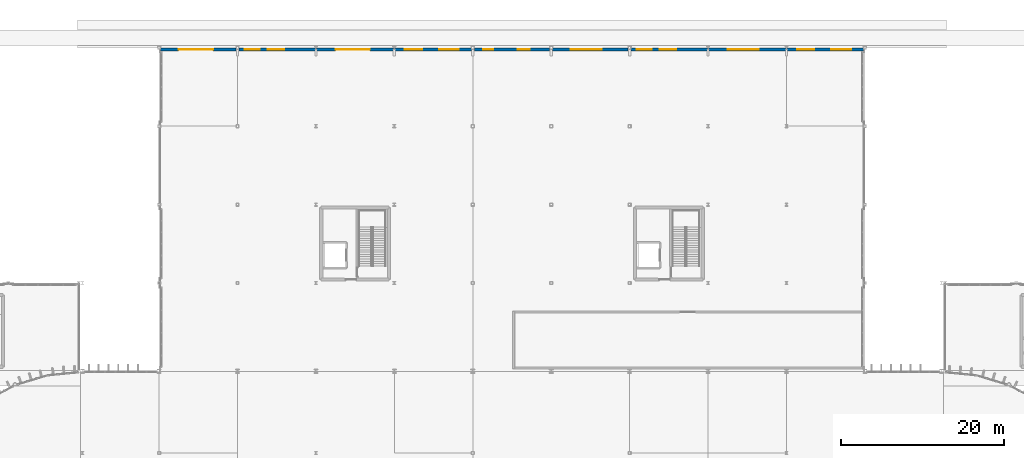
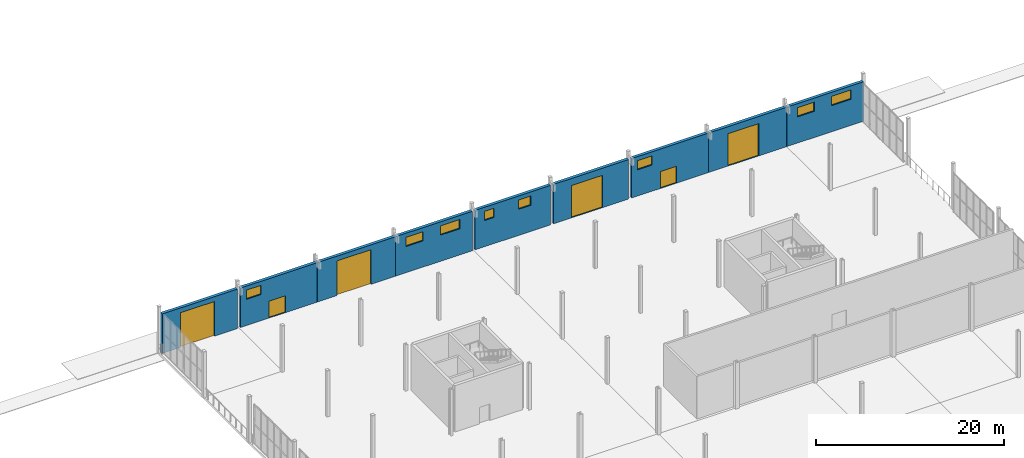
# One storey, part 107 of 139: 9 walls, 8 windows, 6 doors, 14 openings.
"""IFC4 building model written with IfcOpenShell, lengths in metres."""

from ifc_helpers import new_model, si_unit, direction, frame, frame_2d, origin, place, context, subcontext, project, spatial, rectangle, extrude, material, layer, layer_set, type_object, element, fill, save


model = new_model("IFC4")

# Units and contexts
model_context = context("Model", 3, precision=1e-05, world=origin(), true_north=direction((0.0, 1.0)))
body_context = subcontext(model_context, "Body", "Model", "MODEL_VIEW")
ifc_project = project(units=[si_unit("LENGTHUNIT", "METRE"), si_unit("AREAUNIT", "SQUARE_METRE"), si_unit("VOLUMEUNIT", "CUBIC_METRE"), si_unit("PLANEANGLEUNIT", "RADIAN"), si_unit("MASSUNIT", "GRAM", prefix="KILO")], contexts=[model_context])

# Site, building, storey
site_placement = place(None, origin())
site = spatial("IfcSite", under=ifc_project, at=site_placement, CompositionType="ELEMENT")
building_placement = place(site_placement, origin())
building = spatial("IfcBuilding", under=site, at=building_placement, Name="Yeouljin Market Hall", CompositionType="ELEMENT")
storey_placement = place(building_placement, origin())
storey = spatial("IfcBuildingStorey", under=building, at=storey_placement, Name="L00", CompositionType="ELEMENT", Elevation=0.0)

# Wall, opening, door
ifc_material_1 = material(Name="Clinker Brick Masonry F2-S2", Category="masonry")
ifc_layer = layer(ifc_material_1, 0.3701171875)
ifc_layer_set = layer_set([ifc_layer], Name="Clinker Brick Masonry F2-S2")
wall_type = type_object("IfcWallType", Name="Wall_Ext_ColdStoreInsul_370", PredefinedType="SOLIDWALL", material=ifc_layer_set)
wall_1_placement = place(storey_placement, frame((45.181884765625, 117.39990234375, 0.0), z_axis=(0.0, 0.0, 1.0), x_axis=(1.0, 0.0, 0.0)))
wall_1 = element("IfcWall", 1, at=wall_1_placement, inside=storey, type_object=wall_type, Name="Exterior wall WE-V4N-L00-1", PredefinedType="SOLIDWALL", context=body_context, shape_type="SweptSolid", body=[
    extrude(rectangle(XDim=9.236083984375, YDim=0.3701171875, at=frame_2d((4.6181640625, 0.0))), origin(), (0.0, 0.0, 1.0), 5.1201171875),
])
opening_1_placement = place(wall_1_placement, frame((2.218017578125, 0.0, 0.0)))
opening_1 = element("IfcOpeningElement", 2, at=opening_1_placement, cuts=wall_1, Name="Opening SH-L00-01", PredefinedType="OPENING", context=body_context, shape_type="SweptSolid", body=[
    extrude(rectangle(XDim=4.199951171875, YDim=4.5, at=frame_2d((2.10009765625, 2.25))), frame((0.0, 0.195068359375, 0.0), z_axis=(0.0, -1.0, 0.0), x_axis=(1.0, 0.0, 0.0)), (0.0, 0.0, 1.0), 0.39013671875),
])
ifc_material_2 = material(Name="Galvanised Painted Steel", Category="steel")
door_type_1 = type_object("IfcDoorType", Name="DT-SH420", OperationType="ROLLINGUP", PredefinedType="GATE", material=ifc_material_2)
door_1_placement = place(opening_1_placement, origin())
door_1 = element("IfcDoor", 3, at=door_1_placement, inside=storey, type_object=door_type_1, Name="Loading dock roller shutter SH-L00-01", OperationType="ROLLINGUP", OverallHeight=4.5, OverallWidth=4.199951171875, PredefinedType="GATE", context=body_context, shape_type="SweptSolid", body=[
    extrude(rectangle(XDim=4.199951171875, YDim=4.5, at=frame_2d((2.10009765625, 2.25))), frame((0.0, 0.02490234375, 0.0), z_axis=(0.0, -1.0, 0.0), x_axis=(1.0, 0.0, 0.0)), (0.0, 0.0, 1.0), 0.050048828125),
])
fill(opening_1, door_1)

# Wall, openings, door, window
wall_2_placement = place(storey_placement, frame((54.781982421875, 117.39990234375, 0.0), z_axis=(0.0, 0.0, 1.0), x_axis=(1.0, 0.0, 0.0)))
wall_2 = element("IfcWall", 4, at=wall_2_placement, inside=storey, type_object=wall_type, Name="Exterior wall WE-V4N-L00-2", PredefinedType="SOLIDWALL", context=body_context, shape_type="SweptSolid", body=[
    extrude(rectangle(XDim=9.406005859375, YDim=0.3701171875, at=frame_2d((4.703125, 0.0))), origin(), (0.0, 0.0, 1.0), 5.1201171875),
])
opening_2_placement = place(wall_2_placement, frame((3.51806640625, 0.0, 0.0)))
opening_2 = element("IfcOpeningElement", 5, at=opening_2_placement, cuts=wall_2, Name="Opening ED-L00-15", PredefinedType="OPENING", context=body_context, shape_type="SweptSolid", body=[
    extrude(rectangle(XDim=2.0, YDim=2.199951171875, at=frame_2d((1.0, 1.10009765625))), frame((0.0, 0.195068359375, 0.0), z_axis=(0.0, -1.0, 0.0), x_axis=(1.0, 0.0, 0.0)), (0.0, 0.0, 1.0), 0.39013671875),
])
opening_3_placement = place(wall_2_placement, frame((0.718017578125, 0.0, 3.39990234375)))
opening_3 = element("IfcOpeningElement", 6, at=opening_3_placement, cuts=wall_2, Name="Opening WN-23", PredefinedType="OPENING", context=body_context, shape_type="SweptSolid", body=[
    extrude(rectangle(XDim=1.800048828125, YDim=1.199951171875, at=frame_2d((0.89990234375, 0.60009765625))), frame((0.0, 0.195068359375, 0.0), z_axis=(0.0, -1.0, 0.0), x_axis=(1.0, 0.0, 0.0)), (0.0, 0.0, 1.0), 0.39013671875),
])
ifc_material_3 = material(Name="Thermally Broken Aluminium", Category="aluminium")
door_type_2 = type_object("IfcDoorType", Name="DT-ED200", OperationType="NOTDEFINED", PredefinedType="DOOR", material=ifc_material_3)
door_2_placement = place(opening_2_placement, origin())
door_2 = element("IfcDoor", 7, at=door_2_placement, inside=storey, type_object=door_type_2, Name="Exterior door ED-L00-15", OperationType="DOUBLE_DOOR_SINGLE_SWING", OverallHeight=2.199951171875, OverallWidth=2.0, PredefinedType="DOOR", context=body_context, shape_type="SweptSolid", body=[
    extrude(rectangle(XDim=2.0, YDim=2.199951171875, at=frame_2d((1.0, 1.10009765625))), frame((0.0, 0.02490234375, 0.0), z_axis=(0.0, -1.0, 0.0), x_axis=(1.0, 0.0, 0.0)), (0.0, 0.0, 1.0), 0.050048828125),
])
fill(opening_2, door_2)
ifc_material_4 = material(Name="Low-E Insulated Glass", Category="glass")
window_type_1 = type_object("IfcWindowType", Name="Win_Ladder_1800x1200", PartitioningType="TRIPLE_PANEL_VERTICAL", PredefinedType="WINDOW", material=ifc_material_4)
window_1_placement = place(opening_3_placement, origin())
window_1 = element("IfcWindow", 8, at=window_1_placement, inside=storey, type_object=window_type_1, Name="Exterior window WIN-V4N-L00-2", OverallHeight=1.199951171875, OverallWidth=1.800048828125, PartitioningType="SINGLE_PANEL", PredefinedType="WINDOW", context=body_context, shape_type="SweptSolid", body=[
    extrude(rectangle(XDim=1.800048828125, YDim=1.199951171875, at=frame_2d((0.89990234375, 0.60009765625))), frame((0.0, 0.030029296875, 0.0), z_axis=(0.0, -1.0, 0.0), x_axis=(1.0, 0.0, 0.0)), (0.0, 0.0, 1.0), 0.06005859375),
])
fill(opening_3, window_1)

# Wall, opening, door
wall_3_placement = place(storey_placement, frame((64.2119140625, 117.39990234375, 0.0), z_axis=(0.0, 0.0, 1.0), x_axis=(1.0, 0.0, 0.0)))
wall_3 = element("IfcWall", 9, at=wall_3_placement, inside=storey, type_object=wall_type, Name="Exterior wall WE-V4N-L00-3", PredefinedType="SOLIDWALL", context=body_context, shape_type="SweptSolid", body=[
    extrude(rectangle(XDim=9.576171875, YDim=0.3701171875, at=frame_2d((4.7880859375, 0.0))), origin(), (0.0, 0.0, 1.0), 5.1201171875),
])
opening_4_placement = place(wall_3_placement, frame((2.387939453125, 0.0, 0.0)))
opening_4 = element("IfcOpeningElement", 10, at=opening_4_placement, cuts=wall_3, Name="Opening SH-L00-02", PredefinedType="OPENING", context=body_context, shape_type="SweptSolid", body=[
    extrude(rectangle(XDim=4.199951171875, YDim=4.5, at=frame_2d((2.10009765625, 2.25))), frame((0.0, 0.195068359375, 0.0), z_axis=(0.0, -1.0, 0.0), x_axis=(1.0, 0.0, 0.0)), (0.0, 0.0, 1.0), 0.39013671875),
])
door_3_placement = place(opening_4_placement, origin())
door_3 = element("IfcDoor", 11, at=door_3_placement, inside=storey, type_object=door_type_1, Name="Loading dock roller shutter SH-L00-02", OperationType="ROLLINGUP", OverallHeight=4.5, OverallWidth=4.199951171875, PredefinedType="GATE", context=body_context, shape_type="SweptSolid", body=[
    extrude(rectangle(XDim=4.199951171875, YDim=4.5, at=frame_2d((2.10009765625, 2.25))), frame((0.0, 0.02490234375, 0.0), z_axis=(0.0, -1.0, 0.0), x_axis=(1.0, 0.0, 0.0)), (0.0, 0.0, 1.0), 0.050048828125),
])
fill(opening_4, door_3)

# Wall, openings, windows
wall_4_placement = place(storey_placement, frame((73.81201171875, 117.39990234375, 0.0), z_axis=(0.0, 0.0, 1.0), x_axis=(1.0, 0.0, 0.0)))
wall_4 = element("IfcWall", 12, at=wall_4_placement, inside=storey, type_object=wall_type, Name="Exterior wall WE-V4N-L00-4", PredefinedType="SOLIDWALL", context=body_context, shape_type="SweptSolid", body=[
    extrude(rectangle(XDim=9.406005859375, YDim=0.3701171875, at=frame_2d((4.703125, 0.0))), origin(), (0.0, 0.0, 1.0), 5.1201171875),
])
opening_5_placement = place(wall_4_placement, frame((1.2880859375, 0.0, 3.39990234375)))
opening_5 = element("IfcOpeningElement", 13, at=opening_5_placement, cuts=wall_4, Name="Opening WN-24", PredefinedType="OPENING", context=body_context, shape_type="SweptSolid", body=[
    extrude(rectangle(XDim=2.10009765625, YDim=1.199951171875, at=frame_2d((1.050048828125, 0.60009765625))), frame((0.0, 0.195068359375, 0.0), z_axis=(0.0, -1.0, 0.0), x_axis=(1.0, 0.0, 0.0)), (0.0, 0.0, 1.0), 0.39013671875),
])
opening_6_placement = place(wall_4_placement, frame((5.488037109375, 0.0, 3.39990234375)))
opening_6 = element("IfcOpeningElement", 14, at=opening_6_placement, cuts=wall_4, Name="Opening WN-25", PredefinedType="OPENING", context=body_context, shape_type="SweptSolid", body=[
    extrude(rectangle(XDim=2.39990234375, YDim=1.199951171875, at=frame_2d((1.199951171875, 0.60009765625))), frame((0.0, 0.195068359375, 0.0), z_axis=(0.0, -1.0, 0.0), x_axis=(1.0, 0.0, 0.0)), (0.0, 0.0, 1.0), 0.39013671875),
])
ifc_material_5 = material(Name="Low-E Insulated Glass", Category="glass")
window_type_2 = type_object("IfcWindowType", Name="Win_Ladder_2100x1200", PartitioningType="TRIPLE_PANEL_VERTICAL", PredefinedType="WINDOW", material=ifc_material_5)
window_2_placement = place(opening_5_placement, origin())
window_2 = element("IfcWindow", 15, at=window_2_placement, inside=storey, type_object=window_type_2, Name="Exterior window WIN-V4N-L00-4A", OverallHeight=1.199951171875, OverallWidth=2.10009765625, PartitioningType="SINGLE_PANEL", PredefinedType="WINDOW", context=body_context, shape_type="SweptSolid", body=[
    extrude(rectangle(XDim=2.10009765625, YDim=1.199951171875, at=frame_2d((1.050048828125, 0.60009765625))), frame((0.0, 0.030029296875, 0.0), z_axis=(0.0, -1.0, 0.0), x_axis=(1.0, 0.0, 0.0)), (0.0, 0.0, 1.0), 0.06005859375),
])
fill(opening_5, window_2)
ifc_material_6 = material(Name="Low-E Insulated Glass", Category="glass")
window_type_3 = type_object("IfcWindowType", Name="Win_Ladder_2400x1200", PartitioningType="TRIPLE_PANEL_VERTICAL", PredefinedType="WINDOW", material=ifc_material_6)
window_3_placement = place(opening_6_placement, origin())
window_3 = element("IfcWindow", 16, at=window_3_placement, inside=storey, type_object=window_type_3, Name="Exterior window WIN-V4N-L00-4B", OverallHeight=1.199951171875, OverallWidth=2.39990234375, PartitioningType="SINGLE_PANEL", PredefinedType="WINDOW", context=body_context, shape_type="SweptSolid", body=[
    extrude(rectangle(XDim=2.39990234375, YDim=1.199951171875, at=frame_2d((1.199951171875, 0.60009765625))), frame((0.0, 0.030029296875, 0.0), z_axis=(0.0, -1.0, 0.0), x_axis=(1.0, 0.0, 0.0)), (0.0, 0.0, 1.0), 0.06005859375),
])
fill(opening_6, window_3)

wall_5_placement = place(storey_placement, frame((83.58203125, 117.39990234375, 0.0), z_axis=(0.0, 0.0, 1.0), x_axis=(1.0, 0.0, 0.0)))
wall_5 = element("IfcWall", 17, at=wall_5_placement, inside=storey, type_object=wall_type, Name="Exterior wall WE-V4N-L00-5", PredefinedType="SOLIDWALL", context=body_context, shape_type="SweptSolid", body=[
    extrude(rectangle(XDim=9.236083984375, YDim=0.3701171875, at=frame_2d((4.6181640625, 0.0))), origin(), (0.0, 0.0, 1.0), 5.1201171875),
])
opening_7_placement = place(wall_5_placement, frame((1.117919921875, 0.0, 3.39990234375)))
opening_7 = element("IfcOpeningElement", 18, at=opening_7_placement, cuts=wall_5, Name="Opening WN-21", PredefinedType="OPENING", context=body_context, shape_type="SweptSolid", body=[
    extrude(rectangle(XDim=1.199951171875, YDim=1.199951171875, at=frame_2d((0.60009765625, 0.60009765625))), frame((0.0, 0.195068359375, 0.0), z_axis=(0.0, -1.0, 0.0), x_axis=(1.0, 0.0, 0.0)), (0.0, 0.0, 1.0), 0.39013671875),
])
opening_8_placement = place(wall_5_placement, frame((5.318115234375, 0.0, 3.39990234375)))
opening_8 = element("IfcOpeningElement", 19, at=opening_8_placement, cuts=wall_5, Name="Opening WN-22", PredefinedType="OPENING", context=body_context, shape_type="SweptSolid", body=[
    extrude(rectangle(XDim=1.5, YDim=1.199951171875, at=frame_2d((0.75, 0.60009765625))), frame((0.0, 0.195068359375, 0.0), z_axis=(0.0, -1.0, 0.0), x_axis=(1.0, 0.0, 0.0)), (0.0, 0.0, 1.0), 0.39013671875),
])
ifc_material_7 = material(Name="Low-E Insulated Glass", Category="glass")
window_type_4 = type_object("IfcWindowType", Name="Win_Ladder_1200x1200", PartitioningType="DOUBLE_PANEL_HORIZONTAL", PredefinedType="WINDOW", material=ifc_material_7)
window_4_placement = place(opening_7_placement, origin())
window_4 = element("IfcWindow", 20, at=window_4_placement, inside=storey, type_object=window_type_4, Name="Exterior window WIN-V4N-L00-5A", OverallHeight=1.199951171875, OverallWidth=1.199951171875, PartitioningType="SINGLE_PANEL", PredefinedType="WINDOW", context=body_context, shape_type="SweptSolid", body=[
    extrude(rectangle(XDim=1.199951171875, YDim=1.199951171875, at=frame_2d((0.60009765625, 0.60009765625))), frame((0.0, 0.030029296875, 0.0), z_axis=(0.0, -1.0, 0.0), x_axis=(1.0, 0.0, 0.0)), (0.0, 0.0, 1.0), 0.06005859375),
])
fill(opening_7, window_4)
ifc_material_8 = material(Name="Low-E Insulated Glass", Category="glass")
window_type_5 = type_object("IfcWindowType", Name="Win_Ladder_1500x1200", PartitioningType="DOUBLE_PANEL_HORIZONTAL", PredefinedType="WINDOW", material=ifc_material_8)
window_5_placement = place(opening_8_placement, origin())
window_5 = element("IfcWindow", 21, at=window_5_placement, inside=storey, type_object=window_type_5, Name="Exterior window WIN-V4N-L00-5B", OverallHeight=1.199951171875, OverallWidth=1.5, PartitioningType="SINGLE_PANEL", PredefinedType="WINDOW", context=body_context, shape_type="SweptSolid", body=[
    extrude(rectangle(XDim=1.5, YDim=1.199951171875, at=frame_2d((0.75, 0.60009765625))), frame((0.0, 0.030029296875, 0.0), z_axis=(0.0, -1.0, 0.0), x_axis=(1.0, 0.0, 0.0)), (0.0, 0.0, 1.0), 0.06005859375),
])
fill(opening_8, window_5)

# Wall, opening, door
wall_6_placement = place(storey_placement, frame((93.181884765625, 117.39990234375, 0.0), z_axis=(0.0, 0.0, 1.0), x_axis=(1.0, 0.0, 0.0)))
wall_6 = element("IfcWall", 22, at=wall_6_placement, inside=storey, type_object=wall_type, Name="Exterior wall WE-V4N-L00-6", PredefinedType="SOLIDWALL", context=body_context, shape_type="SweptSolid", body=[
    extrude(rectangle(XDim=9.236083984375, YDim=0.3701171875, at=frame_2d((4.6181640625, 0.0))), origin(), (0.0, 0.0, 1.0), 5.1201171875),
])
opening_9_placement = place(wall_6_placement, frame((2.218017578125, 0.0, 0.0)))
opening_9 = element("IfcOpeningElement", 23, at=opening_9_placement, cuts=wall_6, Name="Opening SH-L00-03", PredefinedType="OPENING", context=body_context, shape_type="SweptSolid", body=[
    extrude(rectangle(XDim=3.800048828125, YDim=4.199951171875, at=frame_2d((1.89990234375, 2.10009765625))), frame((0.0, 0.195068359375, 0.0), z_axis=(0.0, -1.0, 0.0), x_axis=(1.0, 0.0, 0.0)), (0.0, 0.0, 1.0), 0.39013671875),
])
ifc_material_9 = material(Name="Galvanised Painted Steel", Category="steel")
door_type_3 = type_object("IfcDoorType", Name="DT-SH380", OperationType="ROLLINGUP", PredefinedType="GATE", material=ifc_material_9)
door_4_placement = place(opening_9_placement, origin())
door_4 = element("IfcDoor", 24, at=door_4_placement, inside=storey, type_object=door_type_3, Name="Loading dock roller shutter SH-L00-03", OperationType="ROLLINGUP", OverallHeight=4.199951171875, OverallWidth=3.800048828125, PredefinedType="GATE", context=body_context, shape_type="SweptSolid", body=[
    extrude(rectangle(XDim=3.800048828125, YDim=4.199951171875, at=frame_2d((1.89990234375, 2.10009765625))), frame((0.0, 0.02490234375, 0.0), z_axis=(0.0, -1.0, 0.0), x_axis=(1.0, 0.0, 0.0)), (0.0, 0.0, 1.0), 0.050048828125),
])
fill(opening_9, door_4)

# Wall, openings, door, window
wall_7_placement = place(storey_placement, frame((102.781982421875, 117.39990234375, 0.0), z_axis=(0.0, 0.0, 1.0), x_axis=(1.0, 0.0, 0.0)))
wall_7 = element("IfcWall", 25, at=wall_7_placement, inside=storey, type_object=wall_type, Name="Exterior wall WE-V4N-L00-7", PredefinedType="SOLIDWALL", context=body_context, shape_type="SweptSolid", body=[
    extrude(rectangle(XDim=9.406005859375, YDim=0.3701171875, at=frame_2d((4.703125, 0.0))), origin(), (0.0, 0.0, 1.0), 5.1201171875),
])
opening_10_placement = place(wall_7_placement, frame((3.51806640625, 0.0, 0.0)))
opening_10 = element("IfcOpeningElement", 26, at=opening_10_placement, cuts=wall_7, Name="Opening ED-L00-16", PredefinedType="OPENING", context=body_context, shape_type="SweptSolid", body=[
    extrude(rectangle(XDim=2.0, YDim=2.199951171875, at=frame_2d((1.0, 1.10009765625))), frame((0.0, 0.195068359375, 0.0), z_axis=(0.0, -1.0, 0.0), x_axis=(1.0, 0.0, 0.0)), (0.0, 0.0, 1.0), 0.39013671875),
])
opening_11_placement = place(wall_7_placement, frame((0.718017578125, 0.0, 3.39990234375)))
opening_11 = element("IfcOpeningElement", 27, at=opening_11_placement, cuts=wall_7, Name="Opening WN-23", PredefinedType="OPENING", context=body_context, shape_type="SweptSolid", body=[
    extrude(rectangle(XDim=1.800048828125, YDim=1.199951171875, at=frame_2d((0.89990234375, 0.60009765625))), frame((0.0, 0.195068359375, 0.0), z_axis=(0.0, -1.0, 0.0), x_axis=(1.0, 0.0, 0.0)), (0.0, 0.0, 1.0), 0.39013671875),
])
door_5_placement = place(opening_10_placement, origin())
door_5 = element("IfcDoor", 28, at=door_5_placement, inside=storey, type_object=door_type_2, Name="Exterior door ED-L00-16", OperationType="DOUBLE_DOOR_SINGLE_SWING", OverallHeight=2.199951171875, OverallWidth=2.0, PredefinedType="DOOR", context=body_context, shape_type="SweptSolid", body=[
    extrude(rectangle(XDim=2.0, YDim=2.199951171875, at=frame_2d((1.0, 1.10009765625))), frame((0.0, 0.02490234375, 0.0), z_axis=(0.0, -1.0, 0.0), x_axis=(1.0, 0.0, 0.0)), (0.0, 0.0, 1.0), 0.050048828125),
])
fill(opening_10, door_5)
window_6_placement = place(opening_11_placement, origin())
window_6 = element("IfcWindow", 29, at=window_6_placement, inside=storey, type_object=window_type_1, Name="Exterior window WIN-V4N-L00-7", OverallHeight=1.199951171875, OverallWidth=1.800048828125, PartitioningType="SINGLE_PANEL", PredefinedType="WINDOW", context=body_context, shape_type="SweptSolid", body=[
    extrude(rectangle(XDim=1.800048828125, YDim=1.199951171875, at=frame_2d((0.89990234375, 0.60009765625))), frame((0.0, 0.030029296875, 0.0), z_axis=(0.0, -1.0, 0.0), x_axis=(1.0, 0.0, 0.0)), (0.0, 0.0, 1.0), 0.06005859375),
])
fill(opening_11, window_6)

# Wall, opening, door
wall_8_placement = place(storey_placement, frame((112.2119140625, 117.39990234375, 0.0), z_axis=(0.0, 0.0, 1.0), x_axis=(1.0, 0.0, 0.0)))
wall_8 = element("IfcWall", 30, at=wall_8_placement, inside=storey, type_object=wall_type, Name="Exterior wall WE-V4N-L00-8", PredefinedType="SOLIDWALL", context=body_context, shape_type="SweptSolid", body=[
    extrude(rectangle(XDim=9.576171875, YDim=0.3701171875, at=frame_2d((4.7880859375, 0.0))), origin(), (0.0, 0.0, 1.0), 5.1201171875),
])
opening_12_placement = place(wall_8_placement, frame((2.387939453125, 0.0, 0.0)))
opening_12 = element("IfcOpeningElement", 31, at=opening_12_placement, cuts=wall_8, Name="Opening SH-L00-04", PredefinedType="OPENING", context=body_context, shape_type="SweptSolid", body=[
    extrude(rectangle(XDim=3.800048828125, YDim=4.199951171875, at=frame_2d((1.89990234375, 2.10009765625))), frame((0.0, 0.195068359375, 0.0), z_axis=(0.0, -1.0, 0.0), x_axis=(1.0, 0.0, 0.0)), (0.0, 0.0, 1.0), 0.39013671875),
])
door_6_placement = place(opening_12_placement, origin())
door_6 = element("IfcDoor", 32, at=door_6_placement, inside=storey, type_object=door_type_3, Name="Loading dock roller shutter SH-L00-04", OperationType="ROLLINGUP", OverallHeight=4.199951171875, OverallWidth=3.800048828125, PredefinedType="GATE", context=body_context, shape_type="SweptSolid", body=[
    extrude(rectangle(XDim=3.800048828125, YDim=4.199951171875, at=frame_2d((1.89990234375, 2.10009765625))), frame((0.0, 0.02490234375, 0.0), z_axis=(0.0, -1.0, 0.0), x_axis=(1.0, 0.0, 0.0)), (0.0, 0.0, 1.0), 0.050048828125),
])
fill(opening_12, door_6)

# Wall, openings, windows
wall_9_placement = place(storey_placement, frame((121.81201171875, 117.39990234375, 0.0), z_axis=(0.0, 0.0, 1.0), x_axis=(1.0, 0.0, 0.0)))
wall_9 = element("IfcWall", 33, at=wall_9_placement, inside=storey, type_object=wall_type, Name="Exterior wall WE-V4N-L00-9", PredefinedType="SOLIDWALL", context=body_context, shape_type="SweptSolid", body=[
    extrude(rectangle(XDim=9.406005859375, YDim=0.3701171875, at=frame_2d((4.703125, 0.0))), origin(), (0.0, 0.0, 1.0), 5.1201171875),
])
opening_13_placement = place(wall_9_placement, frame((1.2880859375, 0.0, 3.39990234375)))
opening_13 = element("IfcOpeningElement", 34, at=opening_13_placement, cuts=wall_9, Name="Opening WN-24", PredefinedType="OPENING", context=body_context, shape_type="SweptSolid", body=[
    extrude(rectangle(XDim=2.10009765625, YDim=1.199951171875, at=frame_2d((1.050048828125, 0.60009765625))), frame((0.0, 0.195068359375, 0.0), z_axis=(0.0, -1.0, 0.0), x_axis=(1.0, 0.0, 0.0)), (0.0, 0.0, 1.0), 0.39013671875),
])
opening_14_placement = place(wall_9_placement, frame((5.488037109375, 0.0, 3.39990234375)))
opening_14 = element("IfcOpeningElement", 35, at=opening_14_placement, cuts=wall_9, Name="Opening WN-25", PredefinedType="OPENING", context=body_context, shape_type="SweptSolid", body=[
    extrude(rectangle(XDim=2.39990234375, YDim=1.199951171875, at=frame_2d((1.199951171875, 0.60009765625))), frame((0.0, 0.195068359375, 0.0), z_axis=(0.0, -1.0, 0.0), x_axis=(1.0, 0.0, 0.0)), (0.0, 0.0, 1.0), 0.39013671875),
])
window_7_placement = place(opening_13_placement, origin())
window_7 = element("IfcWindow", 36, at=window_7_placement, inside=storey, type_object=window_type_2, Name="Exterior window WIN-V4N-L00-9A", OverallHeight=1.199951171875, OverallWidth=2.10009765625, PartitioningType="SINGLE_PANEL", PredefinedType="WINDOW", context=body_context, shape_type="SweptSolid", body=[
    extrude(rectangle(XDim=2.10009765625, YDim=1.199951171875, at=frame_2d((1.050048828125, 0.60009765625))), frame((0.0, 0.030029296875, 0.0), z_axis=(0.0, -1.0, 0.0), x_axis=(1.0, 0.0, 0.0)), (0.0, 0.0, 1.0), 0.06005859375),
])
fill(opening_13, window_7)
window_8_placement = place(opening_14_placement, origin())
window_8 = element("IfcWindow", 37, at=window_8_placement, inside=storey, type_object=window_type_3, Name="Exterior window WIN-V4N-L00-9B", OverallHeight=1.199951171875, OverallWidth=2.39990234375, PartitioningType="SINGLE_PANEL", PredefinedType="WINDOW", context=body_context, shape_type="SweptSolid", body=[
    extrude(rectangle(XDim=2.39990234375, YDim=1.199951171875, at=frame_2d((1.199951171875, 0.60009765625))), frame((0.0, 0.030029296875, 0.0), z_axis=(0.0, -1.0, 0.0), x_axis=(1.0, 0.0, 0.0)), (0.0, 0.0, 1.0), 0.06005859375),
])
fill(opening_14, window_8)

save(model, "model.ifc")
